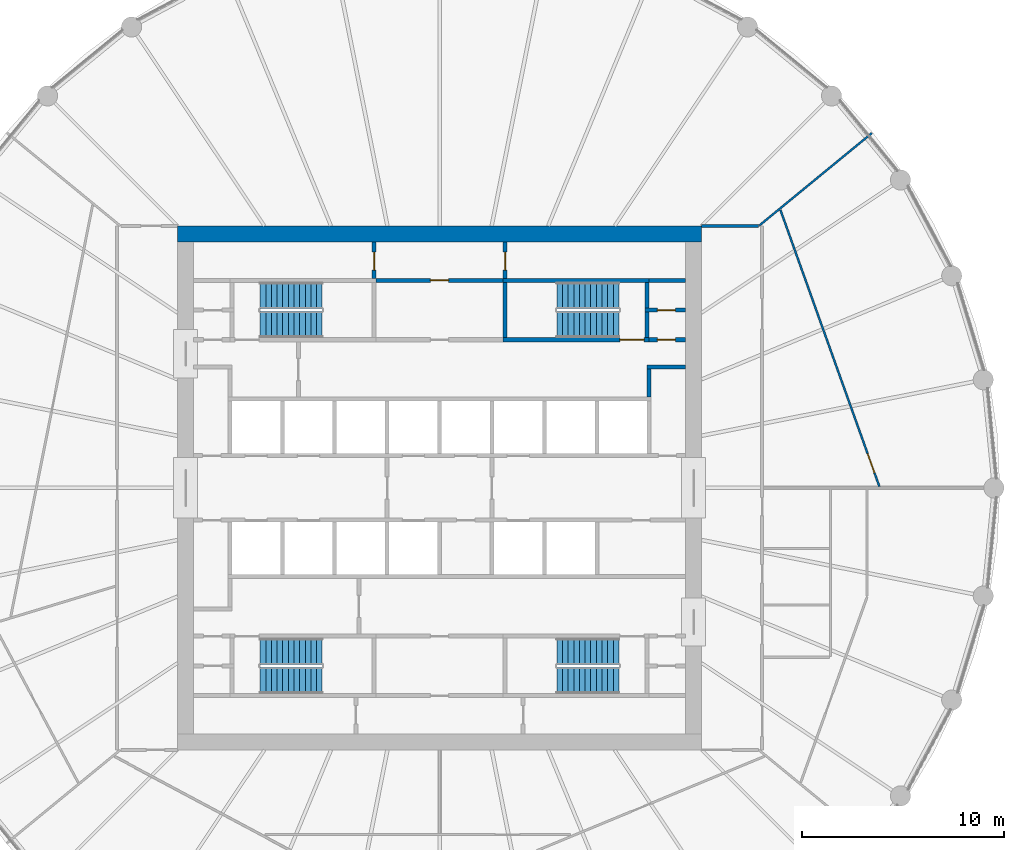
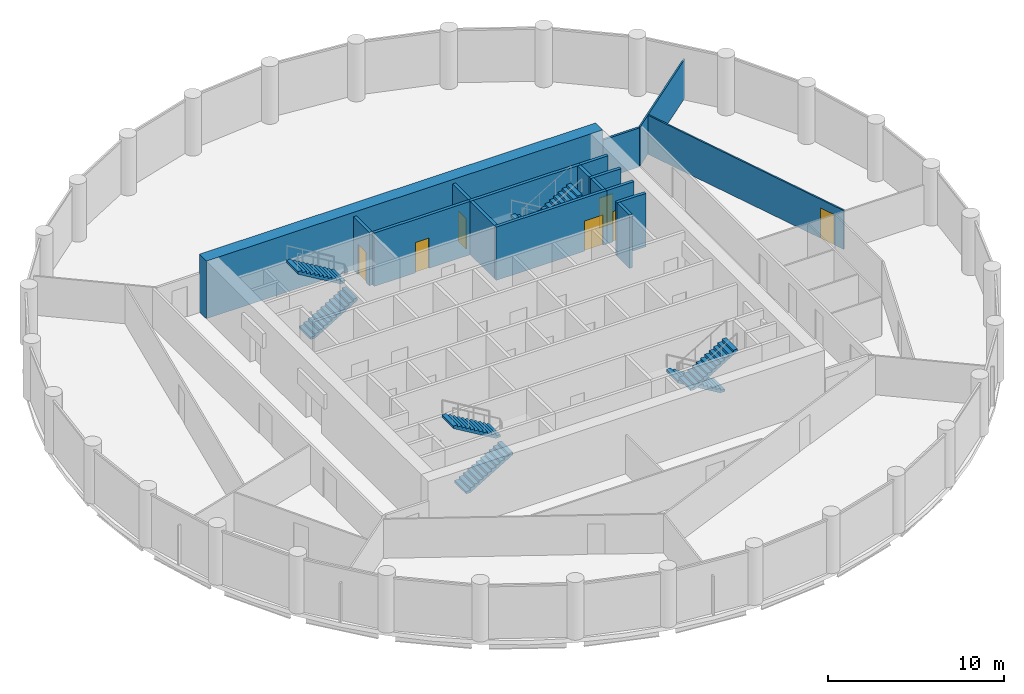
# One storey, part 7 of 8: 17 walls, 8 stair flights, 7 doors, 7 openings, 4 elements without a shape of their own.
"""IFC4 building model written with IfcOpenShell, lengths in metres."""

from ifc_helpers import new_model, si_unit, direction, frame, frame_2d, origin, place, context, subcontext, project, spatial, polyline, rectangle, outline, extrude, material, layer, layer_set, type_object, element, fill, aggregate, save


model = new_model("IFC4")

# Units and contexts
model_context = context("Model", 3, precision=1e-05, world=origin(), true_north=direction((0.0, 1.0)))
body_context = subcontext(model_context, "Body", "Model", "MODEL_VIEW")
ifc_project = project(units=[si_unit("LENGTHUNIT", "METRE"), si_unit("AREAUNIT", "SQUARE_METRE"), si_unit("VOLUMEUNIT", "CUBIC_METRE"), si_unit("PLANEANGLEUNIT", "RADIAN"), si_unit("MASSUNIT", "GRAM", prefix="KILO")], contexts=[model_context])

# Site, building, storey
site_placement = place(None, origin())
site = spatial("IfcSite", under=ifc_project, at=site_placement, CompositionType="ELEMENT")
building_placement = place(site_placement, origin())
building = spatial("IfcBuilding", under=site, at=building_placement, Name="Corvane Civic Tower", CompositionType="ELEMENT")
storey_placement = place(building_placement, frame((0.0, 0.0, 209.5)))
storey = spatial("IfcBuildingStorey", under=building, at=storey_placement, Name="L49", CompositionType="ELEMENT", Elevation=209.5)

# Wall
ifc_material_1 = material(Name="Concrete C50/60", Category="concrete")
ifc_layer_1 = layer(ifc_material_1, 0.800048828125)
ifc_layer_set_1 = layer_set([ifc_layer_1], Name="Concrete C50/60")
wall_type_1 = type_object("IfcWallType", Name="CORE WALL 800 C50/60", PredefinedType="SHEAR", material=ifc_layer_set_1)
wall_1_placement = place(storey_placement, frame((-13.0, 12.60009765625, 0.0), z_axis=(0.0, 0.0, 1.0), x_axis=(1.0, 0.0, 0.0)))
element("IfcWall", 1, at=wall_1_placement, inside=storey, type_object=wall_type_1, Name="W-L49-core-N", PredefinedType="SHEAR", context=body_context, shape_type="SweptSolid", body=[
    extrude(rectangle(XDim=26.0, YDim=0.800048828125, at=frame_2d((13.0, 0.0))), origin(), (0.0, 0.0, 1.0), 4.0),
])

# Wall, opening, door
ifc_material_2 = material(Name="Concrete C30/37", Category="concrete")
ifc_layer_2 = layer(ifc_material_2, 0.199951171875)
ifc_layer_set_2 = layer_set([ifc_layer_2], Name="Concrete C30/37")
wall_type_2 = type_object("IfcWallType", Name="CR-WALL-200", PredefinedType="PARTITIONING", material=ifc_layer_set_2)
wall_2_placement = place(storey_placement, frame((10.39990234375, 7.35009765625, 0.0), z_axis=(0.0, 0.0, 1.0), x_axis=(1.0, 0.0, 0.0)))
wall_2 = element("IfcWall", 2, at=wall_2_placement, inside=storey, type_object=wall_type_2, Name="L49 core partition wall", PredefinedType="PARTITIONING", context=body_context, shape_type="SweptSolid", body=[
    extrude(rectangle(XDim=1.800048828125, YDim=0.199951171875, at=frame_2d((0.89990234375, 0.0))), origin(), (0.0, 0.0, 1.0), 3.699951171875),
])
opening_1_placement = place(wall_2_placement, frame((0.39990234375, 0.0, 0.0)))
opening_1 = element("IfcOpeningElement", 3, at=opening_1_placement, cuts=wall_2, Name="Opening L49.C18", PredefinedType="OPENING", context=body_context, shape_type="SweptSolid", body=[
    extrude(rectangle(XDim=0.89990234375, YDim=2.10009765625, at=frame_2d((0.449951171875, 1.050048828125))), frame((0.0, 0.10986328125, 0.0), z_axis=(0.0, -1.0, 0.0), x_axis=(1.0, 0.0, 0.0)), (0.0, 0.0, 1.0), 0.219970703125),
])
ifc_material_3 = material(Name="Steel fire door leaf", Category="steel")
door_type_1 = type_object("IfcDoorType", Name="CR-DOOR-900", OperationType="SINGLE_SWING_LEFT", PredefinedType="DOOR", material=ifc_material_3)
door_1_placement = place(opening_1_placement, origin())
door_1 = element("IfcDoor", 4, at=door_1_placement, inside=storey, type_object=door_type_1, Name="L49 door", OperationType="SINGLE_SWING_LEFT", OverallHeight=2.10009765625, OverallWidth=0.89990234375, PredefinedType="DOOR", context=body_context, shape_type="SweptSolid", body=[
    extrude(rectangle(XDim=0.89990234375, YDim=2.10009765625, at=frame_2d((0.449951171875, 1.050048828125))), frame((0.0, 0.02490234375, 0.0), z_axis=(0.0, -1.0, 0.0), x_axis=(1.0, 0.0, 0.0)), (0.0, 0.0, 1.0), 0.050048828125),
])
fill(opening_1, door_1)

wall_3_placement = place(storey_placement, frame((10.199951171875, 8.824951171875, 0.0), z_axis=(0.0, 0.0, 1.0), x_axis=(1.0, 0.0, 0.0)))
wall_3 = element("IfcWall", 5, at=wall_3_placement, inside=storey, type_object=wall_type_2, Name="L49 partition wall", PredefinedType="PARTITIONING", context=body_context, shape_type="SweptSolid", body=[
    extrude(rectangle(XDim=2.0, YDim=0.199951171875, at=frame_2d((1.0, 0.0))), origin(), (0.0, 0.0, 1.0), 3.699951171875),
])
opening_2_placement = place(wall_3_placement, frame((0.60009765625, 0.0, 0.0)))
opening_2 = element("IfcOpeningElement", 6, at=opening_2_placement, cuts=wall_3, Name="Opening L49.C19", PredefinedType="OPENING", context=body_context, shape_type="SweptSolid", body=[
    extrude(rectangle(XDim=0.89990234375, YDim=2.10009765625, at=frame_2d((0.449951171875, 1.050048828125))), frame((0.0, 0.10986328125, 0.0), z_axis=(0.0, -1.0, 0.0), x_axis=(1.0, 0.0, 0.0)), (0.0, 0.0, 1.0), 0.219970703125),
])
door_2_placement = place(opening_2_placement, origin())
door_2 = element("IfcDoor", 7, at=door_2_placement, inside=storey, type_object=door_type_1, Name="L49 door", OperationType="SINGLE_SWING_LEFT", OverallHeight=2.10009765625, OverallWidth=0.89990234375, PredefinedType="DOOR", context=body_context, shape_type="SweptSolid", body=[
    extrude(rectangle(XDim=0.89990234375, YDim=2.10009765625, at=frame_2d((0.449951171875, 1.050048828125))), frame((0.0, 0.02490234375, 0.0), z_axis=(0.0, -1.0, 0.0), x_axis=(1.0, 0.0, 0.0)), (0.0, 0.0, 1.0), 0.050048828125),
])
fill(opening_2, door_2)

wall_4_placement = place(storey_placement, frame((-3.14990234375, 10.300048828125, 0.0), z_axis=(0.0, 0.0, 1.0), x_axis=(1.0, 0.0, 0.0)))
wall_4 = element("IfcWall", 8, at=wall_4_placement, inside=storey, type_object=wall_type_2, Name="L49 partition wall", PredefinedType="PARTITIONING", context=body_context, shape_type="SweptSolid", body=[
    extrude(rectangle(XDim=6.2998046875, YDim=0.199951171875, at=frame_2d((3.14990234375, 0.0))), origin(), (0.0, 0.0, 1.0), 3.699951171875),
])
opening_3_placement = place(wall_4_placement, frame((2.699951171875, 0.0, 0.0)))
opening_3 = element("IfcOpeningElement", 9, at=opening_3_placement, cuts=wall_4, Name="Opening L49.C09", PredefinedType="OPENING", context=body_context, shape_type="SweptSolid", body=[
    extrude(rectangle(XDim=0.89990234375, YDim=2.10009765625, at=frame_2d((0.449951171875, 1.050048828125))), frame((0.0, 0.10986328125, 0.0), z_axis=(0.0, -1.0, 0.0), x_axis=(1.0, 0.0, 0.0)), (0.0, 0.0, 1.0), 0.219970703125),
])
door_3_placement = place(opening_3_placement, origin())
door_3 = element("IfcDoor", 10, at=door_3_placement, inside=storey, type_object=door_type_1, Name="L49 door", OperationType="SINGLE_SWING_LEFT", OverallHeight=2.10009765625, OverallWidth=0.89990234375, PredefinedType="DOOR", context=body_context, shape_type="SweptSolid", body=[
    extrude(rectangle(XDim=0.89990234375, YDim=2.10009765625, at=frame_2d((0.449951171875, 1.050048828125))), frame((0.0, 0.02490234375, 0.0), z_axis=(0.0, -1.0, 0.0), x_axis=(1.0, 0.0, 0.0)), (0.0, 0.0, 1.0), 0.050048828125),
])
fill(opening_3, door_3)

wall_5_placement = place(storey_placement, frame((-3.25, 10.39990234375, 0.0), z_axis=(0.0, 0.0, 1.0), x_axis=(0.0, 1.0, 0.0)))
wall_5 = element("IfcWall", 11, at=wall_5_placement, inside=storey, type_object=wall_type_2, Name="L49 partition wall", PredefinedType="PARTITIONING", context=body_context, shape_type="SweptSolid", body=[
    extrude(rectangle(XDim=1.800048828125, YDim=0.199951171875, at=frame_2d((0.89990234375, 0.0))), origin(), (0.0, 0.0, 1.0), 3.699951171875),
])
opening_4_placement = place(wall_5_placement, frame((0.39990234375, 0.0, 0.0)))
opening_4 = element("IfcOpeningElement", 12, at=opening_4_placement, cuts=wall_5, Name="Opening L49.C08", PredefinedType="OPENING", context=body_context, shape_type="SweptSolid", body=[
    extrude(rectangle(XDim=0.89990234375, YDim=2.10009765625, at=frame_2d((0.449951171875, 1.050048828125))), frame((0.0, 0.10986328125, 0.0), z_axis=(0.0, -1.0, 0.0), x_axis=(1.0, 0.0, 0.0)), (0.0, 0.0, 1.0), 0.219970703125),
])
door_4_placement = place(opening_4_placement, origin())
door_4 = element("IfcDoor", 13, at=door_4_placement, inside=storey, type_object=door_type_1, Name="L49 door", OperationType="SINGLE_SWING_LEFT", OverallHeight=2.10009765625, OverallWidth=0.89990234375, PredefinedType="DOOR", context=body_context, shape_type="SweptSolid", body=[
    extrude(rectangle(XDim=0.89990234375, YDim=2.10009765625, at=frame_2d((0.449951171875, 1.050048828125))), frame((0.0, 0.02490234375, 0.0), z_axis=(0.0, -1.0, 0.0), x_axis=(1.0, 0.0, 0.0)), (0.0, 0.0, 1.0), 0.050048828125),
])
fill(opening_4, door_4)

wall_6_placement = place(storey_placement, frame((3.25, 10.39990234375, 0.0), z_axis=(0.0, 0.0, 1.0), x_axis=(0.0, 1.0, 0.0)))
wall_6 = element("IfcWall", 14, at=wall_6_placement, inside=storey, type_object=wall_type_2, Name="L49 partition wall", PredefinedType="PARTITIONING", context=body_context, shape_type="SweptSolid", body=[
    extrude(rectangle(XDim=1.800048828125, YDim=0.199951171875, at=frame_2d((0.89990234375, 0.0))), origin(), (0.0, 0.0, 1.0), 3.699951171875),
])
opening_5_placement = place(wall_6_placement, frame((0.39990234375, 0.0, 0.0)))
opening_5 = element("IfcOpeningElement", 15, at=opening_5_placement, cuts=wall_6, Name="Opening L49.C10", PredefinedType="OPENING", context=body_context, shape_type="SweptSolid", body=[
    extrude(rectangle(XDim=0.89990234375, YDim=2.10009765625, at=frame_2d((0.449951171875, 1.050048828125))), frame((0.0, 0.10986328125, 0.0), z_axis=(0.0, -1.0, 0.0), x_axis=(1.0, 0.0, 0.0)), (0.0, 0.0, 1.0), 0.219970703125),
])
door_5_placement = place(opening_5_placement, origin())
door_5 = element("IfcDoor", 16, at=door_5_placement, inside=storey, type_object=door_type_1, Name="L49 door", OperationType="SINGLE_SWING_LEFT", OverallHeight=2.10009765625, OverallWidth=0.89990234375, PredefinedType="DOOR", context=body_context, shape_type="SweptSolid", body=[
    extrude(rectangle(XDim=0.89990234375, YDim=2.10009765625, at=frame_2d((0.449951171875, 1.050048828125))), frame((0.0, 0.02490234375, 0.0), z_axis=(0.0, -1.0, 0.0), x_axis=(1.0, 0.0, 0.0)), (0.0, 0.0, 1.0), 0.050048828125),
])
fill(opening_5, door_5)

# Walls
wall_7_placement = place(storey_placement, origin())
element("IfcWall", 17, at=wall_7_placement, inside=storey, type_object=wall_type_2, Name="L49 core partition wall", PredefinedType="PARTITIONING", context=body_context, shape_type="SweptSolid", body=[
    extrude(outline(polyline([(12.199951171875, 5.89990234375), (10.300048828125, 5.89990234375), (10.300048828125, 6.10009765625), (12.199951171875, 6.10009765625), (12.199951171875, 5.89990234375)])), origin(), (0.0, 0.0, 1.0), 3.699951171875),
])
wall_8_placement = place(storey_placement, origin())
element("IfcWall", 18, at=wall_8_placement, inside=storey, type_object=wall_type_2, Name="L49 core partition wall", PredefinedType="PARTITIONING", context=body_context, shape_type="SweptSolid", body=[
    extrude(outline(polyline([(10.5, 4.5), (10.300048828125, 4.5), (10.300048828125, 5.89990234375), (10.5, 5.89990234375), (10.5, 4.5)])), origin(), (0.0, 0.0, 1.0), 3.699951171875),
])
wall_9_placement = place(storey_placement, origin())
element("IfcWall", 19, at=wall_9_placement, inside=storey, type_object=wall_type_2, Name="L49 core partition wall", PredefinedType="PARTITIONING", context=body_context, shape_type="SweptSolid", body=[
    extrude(outline(polyline([(10.39990234375, 10.199951171875), (10.39990234375, 10.39990234375), (12.199951171875, 10.39990234375), (12.199951171875, 10.199951171875), (10.39990234375, 10.199951171875)])), origin(), (0.0, 0.0, 1.0), 3.699951171875),
])

# Wall, opening, door
ifc_material_4 = material(Name="Plasterboard")
ifc_layer_3 = layer(ifc_material_4, 0.10009765625)
ifc_layer_set_3 = layer_set([ifc_layer_3], Name="Plasterboard")
wall_type_3 = type_object("IfcWallType", Name="Partition 100 plasterboard on studs", PredefinedType="PARTITIONING", material=ifc_layer_set_3)
wall_10_placement = place(storey_placement, frame((16.90869140625, 13.790283203125, 0.0), z_axis=(0.0, 0.0, 1.0), x_axis=(0.336895534634, -0.941542032383, 0.0)))
wall_10 = element("IfcWall", 20, at=wall_10_placement, inside=storey, type_object=wall_type_3, Name="Partition L49.022", PredefinedType="PARTITIONING", context=body_context, shape_type="SweptSolid", body=[
    extrude(rectangle(XDim=14.575439453125, YDim=0.10009765625, at=frame_2d((7.28759765625, 0.0))), origin(), (0.0, 0.0, 1.0), 2.699951171875),
])
opening_6_placement = place(wall_10_placement, frame((12.847900390625, 0.0, 0.0)))
opening_6 = element("IfcOpeningElement", 21, at=opening_6_placement, cuts=wall_10, Name="Opening L49.007", PredefinedType="OPENING", context=body_context, shape_type="SweptSolid", body=[
    extrude(rectangle(XDim=1.0, YDim=2.10009765625, at=frame_2d((0.5, 1.050048828125))), frame((0.0, 0.06005859375, 0.0), z_axis=(0.0, -1.0, 0.0), x_axis=(1.0, 0.0, 0.0)), (0.0, 0.0, 1.0), 0.1201171875),
])
ifc_material_5 = material(Name="Timber", Category="wood")
door_type_2 = type_object("IfcDoorType", Name="Single door 1000", OperationType="NOTDEFINED", PredefinedType="DOOR", material=ifc_material_5)
door_6_placement = place(opening_6_placement, origin())
door_6 = element("IfcDoor", 22, at=door_6_placement, inside=storey, type_object=door_type_2, Name="Door L49.007", OperationType="SINGLE_SWING_RIGHT", OverallHeight=2.10009765625, OverallWidth=1.0, PredefinedType="DOOR", context=body_context, shape_type="SweptSolid", body=[
    extrude(rectangle(XDim=1.0, YDim=2.10009765625, at=frame_2d((0.5, 1.050048828125))), frame((0.0, 0.02490234375, 0.0), z_axis=(0.0, -1.0, 0.0), x_axis=(1.0, 0.0, 0.0)), (0.0, 0.0, 1.0), 0.050048828125),
])
fill(opening_6, door_6)

# Wall
wall_11_placement = place(storey_placement, frame((15.8544921875, 13.01123046875, 0.0), z_axis=(0.0, 0.0, 1.0), x_axis=(0.772997895748, 0.634408585352, 0.0)))
element("IfcWall", 23, at=wall_11_placement, inside=storey, type_object=wall_type_3, Name="Partition L49.026", PredefinedType="PARTITIONING", context=body_context, shape_type="SweptSolid", body=[
    extrude(rectangle(XDim=7.240234375, YDim=0.10009765625, at=frame_2d((3.6201171875, 0.0))), origin(), (0.0, 0.0, 1.0), 2.699951171875),
])

# Wall, opening, door
ifc_material_6 = material(Name="Concrete C50/60", Category="concrete")
ifc_layer_4 = layer(ifc_material_6, 0.199951171875)
ifc_layer_set_4 = layer_set([ifc_layer_4], Name="Concrete C50/60")
wall_type_4 = type_object("IfcWallType", Name="ST-WALL-200", PredefinedType="SHEAR", material=ifc_layer_set_4)
wall_12_placement = place(storey_placement, frame((3.14990234375, 7.35009765625, 0.0), z_axis=(0.0, 0.0, 1.0), x_axis=(1.0, 0.0, 0.0)))
wall_12 = element("IfcWall", 24, at=wall_12_placement, inside=storey, type_object=wall_type_4, Name="L49 stair enclosure wall", PredefinedType="SHEAR", context=body_context, shape_type="SweptSolid", body=[
    extrude(rectangle(XDim=7.25, YDim=0.199951171875, at=frame_2d((3.625, 0.0))), origin(), (0.0, 0.0, 1.0), 3.699951171875),
])
opening_7_placement = place(wall_12_placement, frame((5.800048828125, 0.0, 0.0)))
opening_7 = element("IfcOpeningElement", 25, at=opening_7_placement, cuts=wall_12, Name="Opening L49.C22", PredefinedType="OPENING", context=body_context, shape_type="SweptSolid", body=[
    extrude(rectangle(XDim=1.199951171875, YDim=2.10009765625, at=frame_2d((0.60009765625, 1.050048828125))), frame((0.0, 0.10986328125, 0.0), z_axis=(0.0, -1.0, 0.0), x_axis=(1.0, 0.0, 0.0)), (0.0, 0.0, 1.0), 0.219970703125),
])
ifc_material_7 = material(Name="Steel fire door leaf", Category="steel")
door_type_3 = type_object("IfcDoorType", Name="ST-DOOR-1200", OperationType="SINGLE_SWING_RIGHT", PredefinedType="DOOR", material=ifc_material_7)
door_7_placement = place(opening_7_placement, origin())
door_7 = element("IfcDoor", 26, at=door_7_placement, inside=storey, type_object=door_type_3, Name="L49 stair door", OperationType="SINGLE_SWING_RIGHT", OverallHeight=2.10009765625, OverallWidth=1.199951171875, PredefinedType="DOOR", context=body_context, shape_type="SweptSolid", body=[
    extrude(rectangle(XDim=1.199951171875, YDim=2.10009765625, at=frame_2d((0.60009765625, 1.050048828125))), frame((0.0, 0.02490234375, 0.0), z_axis=(0.0, -1.0, 0.0), x_axis=(1.0, 0.0, 0.0)), (0.0, 0.0, 1.0), 0.050048828125),
])
fill(opening_7, door_7)

# Walls
wall_13_placement = place(storey_placement, origin())
element("IfcWall", 27, at=wall_13_placement, inside=storey, type_object=wall_type_4, Name="L49 stair enclosure wall", PredefinedType="SHEAR", context=body_context, shape_type="SweptSolid", body=[
    extrude(outline(polyline([(10.39990234375, 10.199951171875), (3.14990234375, 10.199951171875), (3.14990234375, 10.39990234375), (10.39990234375, 10.39990234375), (10.39990234375, 10.199951171875)])), origin(), (0.0, 0.0, 1.0), 3.699951171875),
])
wall_14_placement = place(storey_placement, origin())
element("IfcWall", 28, at=wall_14_placement, inside=storey, type_object=wall_type_4, Name="L49 stair enclosure wall", PredefinedType="SHEAR", context=body_context, shape_type="SweptSolid", body=[
    extrude(outline(polyline([(3.35009765625, 7.449951171875), (3.14990234375, 7.449951171875), (3.14990234375, 10.199951171875), (3.35009765625, 10.199951171875), (3.35009765625, 7.449951171875)])), origin(), (0.0, 0.0, 1.0), 3.699951171875),
])
wall_15_placement = place(storey_placement, origin())
element("IfcWall", 29, at=wall_15_placement, inside=storey, type_object=wall_type_4, Name="L49 stair enclosure wall", PredefinedType="SHEAR", context=body_context, shape_type="SweptSolid", body=[
    extrude(outline(polyline([(10.39990234375, 8.72509765625), (10.39990234375, 7.449951171875), (10.199951171875, 7.449951171875), (10.199951171875, 8.72509765625), (10.39990234375, 8.72509765625)])), origin(), (0.0, 0.0, 1.0), 3.699951171875),
])
wall_16_placement = place(storey_placement, origin())
element("IfcWall", 30, at=wall_16_placement, inside=storey, type_object=wall_type_4, Name="L49 stair enclosure wall", PredefinedType="SHEAR", context=body_context, shape_type="SweptSolid", body=[
    extrude(outline(polyline([(10.39990234375, 8.925048828125), (10.199951171875, 8.925048828125), (10.199951171875, 10.199951171875), (10.39990234375, 10.199951171875), (10.39990234375, 8.925048828125)])), origin(), (0.0, 0.0, 1.0), 3.699951171875),
])
ifc_material_8 = material(Name="Plasterboard")
ifc_layer_5 = layer(ifc_material_8, 0.14990234375)
ifc_layer_set_5 = layer_set([ifc_layer_5], Name="Plasterboard")
wall_type_5 = type_object("IfcWallType", Name="Tenancy wall 150 EI 60", PredefinedType="PARTITIONING", material=ifc_layer_set_5)
wall_17_placement = place(storey_placement, frame((12.989990234375, 13.0, 0.0), z_axis=(0.0, 0.0, 1.0), x_axis=(1.0, 0.0, 0.0)))
element("IfcWall", 31, at=wall_17_placement, inside=storey, type_object=wall_type_5, Name="Partition L49.024", PredefinedType="PARTITIONING", context=body_context, shape_type="SweptSolid", body=[
    extrude(rectangle(XDim=2.82373046875, YDim=0.14990234375, at=frame_2d((1.411865234375, 0.0))), origin(), (0.0, 0.0, 1.0), 2.699951171875),
])

# Stair, stair flights
ifc_material_9 = material(Name="Concrete C40/50", Category="concrete")
stair_type = type_object("IfcStairType", Name="ST-STAIR-HALFTURN", PredefinedType="HALF_TURN_STAIR", material=ifc_material_9)
stair_1_placement = place(storey_placement, origin())
stair_1 = element("IfcStair", 32, at=stair_1_placement, inside=storey, type_object=stair_type, Name="L49 Exit stair ST1", PredefinedType="HALF_TURN_STAIR")
ifc_material_10 = material(Name="Concrete C40/50", Category="concrete")
stair_flight_type = type_object("IfcStairFlightType", Name="ST-FLIGHT-RC", PredefinedType="STRAIGHT", material=ifc_material_10)
stair_flight_1_placement = place(storey_placement, frame((8.89990234375, 9.550048828125, 0.0), z_axis=(0.0, 0.0, 1.0), x_axis=(-1.0, 0.0, 0.0)))
stair_flight_1 = element("IfcStairFlight", 33, at=stair_flight_1_placement, type_object=stair_flight_type, Name="ST1 flight 1", NumberOfRisers=12, NumberOfTreads=11, PredefinedType="STRAIGHT", RiserHeight=0.166666667, TreadLength=0.28, context=body_context, shape_type="SweptSolid", body=[
    extrude(outline(polyline([(0.0, 0.0), (0.0, 0.166748046875), (0.280029296875, 0.166748046875), (0.280029296875, 0.333251953125), (0.56005859375, 0.333251953125), (0.56005859375, 0.5), (0.840087890625, 0.5), (0.840087890625, 0.666748046875), (1.1201171875, 0.666748046875), (1.1201171875, 0.833251953125), (1.39990234375, 0.833251953125), (1.39990234375, 1.0), (1.679931640625, 1.0), (1.679931640625, 1.166748046875), (1.9599609375, 1.166748046875), (1.9599609375, 1.333251953125), (2.239990234375, 1.333251953125), (2.239990234375, 1.5), (2.52001953125, 1.5), (2.52001953125, 1.666748046875), (2.800048828125, 1.666748046875), (2.800048828125, 1.833251953125), (3.080078125, 1.833251953125), (3.080078125, 2.0), (3.080078125, 1.658935546875), (0.29296875, 0.0), (0.0, 0.0)])), frame((0.0, 0.64990234375, 0.0), z_axis=(0.0, -1.0, 0.0), x_axis=(1.0, 0.0, 0.0)), (0.0, 0.0, 1.0), 1.300048828125),
])
stair_flight_2_placement = place(storey_placement, frame((5.820068359375, 8.10009765625, 2.0), z_axis=(0.0, 0.0, 1.0), x_axis=(1.0, 0.0, 0.0)))
stair_flight_2 = element("IfcStairFlight", 34, at=stair_flight_2_placement, type_object=stair_flight_type, Name="ST1 flight 2", NumberOfRisers=12, NumberOfTreads=11, PredefinedType="STRAIGHT", RiserHeight=0.166666667, TreadLength=0.28, context=body_context, shape_type="SweptSolid", body=[
    extrude(outline(polyline([(0.0, 0.0), (0.0, 0.166748046875), (0.280029296875, 0.166748046875), (0.280029296875, 0.333251953125), (0.56005859375, 0.333251953125), (0.56005859375, 0.5), (0.840087890625, 0.5), (0.840087890625, 0.666748046875), (1.1201171875, 0.666748046875), (1.1201171875, 0.833251953125), (1.39990234375, 0.833251953125), (1.39990234375, 1.0), (1.679931640625, 1.0), (1.679931640625, 1.166748046875), (1.9599609375, 1.166748046875), (1.9599609375, 1.333251953125), (2.239990234375, 1.333251953125), (2.239990234375, 1.5), (2.52001953125, 1.5), (2.52001953125, 1.666748046875), (2.800048828125, 1.666748046875), (2.800048828125, 1.833251953125), (3.080078125, 1.833251953125), (3.080078125, 2.0), (3.080078125, 1.658935546875), (0.29296875, 0.0), (0.0, 0.0)])), frame((0.0, 0.64990234375, 0.0), z_axis=(0.0, -1.0, 0.0), x_axis=(1.0, 0.0, 0.0)), (0.0, 0.0, 1.0), 1.300048828125),
])
aggregate(stair_1, [stair_flight_1, stair_flight_2])

stair_2_placement = place(storey_placement, origin())
stair_2 = element("IfcStair", 35, at=stair_2_placement, inside=storey, type_object=stair_type, Name="L49 Exit stair ST2", PredefinedType="HALF_TURN_STAIR")
stair_flight_3_placement = place(storey_placement, frame((8.89990234375, -8.10009765625, 0.0), z_axis=(0.0, 0.0, 1.0), x_axis=(-1.0, 0.0, 0.0)))
stair_flight_3 = element("IfcStairFlight", 36, at=stair_flight_3_placement, type_object=stair_flight_type, Name="ST2 flight 1", NumberOfRisers=12, NumberOfTreads=11, PredefinedType="STRAIGHT", RiserHeight=0.166666667, TreadLength=0.28, context=body_context, shape_type="SweptSolid", body=[
    extrude(outline(polyline([(0.0, 0.0), (0.0, 0.166748046875), (0.280029296875, 0.166748046875), (0.280029296875, 0.333251953125), (0.56005859375, 0.333251953125), (0.56005859375, 0.5), (0.840087890625, 0.5), (0.840087890625, 0.666748046875), (1.1201171875, 0.666748046875), (1.1201171875, 0.833251953125), (1.39990234375, 0.833251953125), (1.39990234375, 1.0), (1.679931640625, 1.0), (1.679931640625, 1.166748046875), (1.9599609375, 1.166748046875), (1.9599609375, 1.333251953125), (2.239990234375, 1.333251953125), (2.239990234375, 1.5), (2.52001953125, 1.5), (2.52001953125, 1.666748046875), (2.800048828125, 1.666748046875), (2.800048828125, 1.833251953125), (3.080078125, 1.833251953125), (3.080078125, 2.0), (3.080078125, 1.658935546875), (0.29296875, 0.0), (0.0, 0.0)])), frame((0.0, 0.64990234375, 0.0), z_axis=(0.0, -1.0, 0.0), x_axis=(1.0, 0.0, 0.0)), (0.0, 0.0, 1.0), 1.300048828125),
])
stair_flight_4_placement = place(storey_placement, frame((5.820068359375, -9.550048828125, 2.0), z_axis=(0.0, 0.0, 1.0), x_axis=(1.0, 0.0, 0.0)))
stair_flight_4 = element("IfcStairFlight", 37, at=stair_flight_4_placement, type_object=stair_flight_type, Name="ST2 flight 2", NumberOfRisers=12, NumberOfTreads=11, PredefinedType="STRAIGHT", RiserHeight=0.166666667, TreadLength=0.28, context=body_context, shape_type="SweptSolid", body=[
    extrude(outline(polyline([(0.0, 0.0), (0.0, 0.166748046875), (0.280029296875, 0.166748046875), (0.280029296875, 0.333251953125), (0.56005859375, 0.333251953125), (0.56005859375, 0.5), (0.840087890625, 0.5), (0.840087890625, 0.666748046875), (1.1201171875, 0.666748046875), (1.1201171875, 0.833251953125), (1.39990234375, 0.833251953125), (1.39990234375, 1.0), (1.679931640625, 1.0), (1.679931640625, 1.166748046875), (1.9599609375, 1.166748046875), (1.9599609375, 1.333251953125), (2.239990234375, 1.333251953125), (2.239990234375, 1.5), (2.52001953125, 1.5), (2.52001953125, 1.666748046875), (2.800048828125, 1.666748046875), (2.800048828125, 1.833251953125), (3.080078125, 1.833251953125), (3.080078125, 2.0), (3.080078125, 1.658935546875), (0.29296875, 0.0), (0.0, 0.0)])), frame((0.0, 0.64990234375, 0.0), z_axis=(0.0, -1.0, 0.0), x_axis=(1.0, 0.0, 0.0)), (0.0, 0.0, 1.0), 1.300048828125),
])
aggregate(stair_2, [stair_flight_3, stair_flight_4])

stair_3_placement = place(storey_placement, origin())
stair_3 = element("IfcStair", 38, at=stair_3_placement, inside=storey, type_object=stair_type, Name="L49 Exit stair ST3", PredefinedType="HALF_TURN_STAIR")
stair_flight_5_placement = place(storey_placement, frame((-8.89990234375, -9.550048828125, 0.0), z_axis=(0.0, 0.0, 1.0), x_axis=(1.0, 0.0, 0.0)))
stair_flight_5 = element("IfcStairFlight", 39, at=stair_flight_5_placement, type_object=stair_flight_type, Name="ST3 flight 1", NumberOfRisers=12, NumberOfTreads=11, PredefinedType="STRAIGHT", RiserHeight=0.166666667, TreadLength=0.28, context=body_context, shape_type="SweptSolid", body=[
    extrude(outline(polyline([(0.0, 0.0), (0.0, 0.166748046875), (0.280029296875, 0.166748046875), (0.280029296875, 0.333251953125), (0.56005859375, 0.333251953125), (0.56005859375, 0.5), (0.840087890625, 0.5), (0.840087890625, 0.666748046875), (1.1201171875, 0.666748046875), (1.1201171875, 0.833251953125), (1.39990234375, 0.833251953125), (1.39990234375, 1.0), (1.679931640625, 1.0), (1.679931640625, 1.166748046875), (1.9599609375, 1.166748046875), (1.9599609375, 1.333251953125), (2.239990234375, 1.333251953125), (2.239990234375, 1.5), (2.52001953125, 1.5), (2.52001953125, 1.666748046875), (2.800048828125, 1.666748046875), (2.800048828125, 1.833251953125), (3.080078125, 1.833251953125), (3.080078125, 2.0), (3.080078125, 1.658935546875), (0.29296875, 0.0), (0.0, 0.0)])), frame((0.0, 0.64990234375, 0.0), z_axis=(0.0, -1.0, 0.0), x_axis=(1.0, 0.0, 0.0)), (0.0, 0.0, 1.0), 1.300048828125),
])
stair_flight_6_placement = place(storey_placement, frame((-5.820068359375, -8.10009765625, 2.0), z_axis=(0.0, 0.0, 1.0), x_axis=(-1.0, 0.0, 0.0)))
stair_flight_6 = element("IfcStairFlight", 40, at=stair_flight_6_placement, type_object=stair_flight_type, Name="ST3 flight 2", NumberOfRisers=12, NumberOfTreads=11, PredefinedType="STRAIGHT", RiserHeight=0.166666667, TreadLength=0.28, context=body_context, shape_type="SweptSolid", body=[
    extrude(outline(polyline([(0.0, 0.0), (0.0, 0.166748046875), (0.280029296875, 0.166748046875), (0.280029296875, 0.333251953125), (0.56005859375, 0.333251953125), (0.56005859375, 0.5), (0.840087890625, 0.5), (0.840087890625, 0.666748046875), (1.1201171875, 0.666748046875), (1.1201171875, 0.833251953125), (1.39990234375, 0.833251953125), (1.39990234375, 1.0), (1.679931640625, 1.0), (1.679931640625, 1.166748046875), (1.9599609375, 1.166748046875), (1.9599609375, 1.333251953125), (2.239990234375, 1.333251953125), (2.239990234375, 1.5), (2.52001953125, 1.5), (2.52001953125, 1.666748046875), (2.800048828125, 1.666748046875), (2.800048828125, 1.833251953125), (3.080078125, 1.833251953125), (3.080078125, 2.0), (3.080078125, 1.658935546875), (0.29296875, 0.0), (0.0, 0.0)])), frame((0.0, 0.64990234375, 0.0), z_axis=(0.0, -1.0, 0.0), x_axis=(1.0, 0.0, 0.0)), (0.0, 0.0, 1.0), 1.300048828125),
])
aggregate(stair_3, [stair_flight_5, stair_flight_6])

stair_4_placement = place(storey_placement, origin())
stair_4 = element("IfcStair", 41, at=stair_4_placement, inside=storey, type_object=stair_type, Name="L49 Exit stair ST4", PredefinedType="HALF_TURN_STAIR")
stair_flight_7_placement = place(storey_placement, frame((-8.89990234375, 8.10009765625, 0.0), z_axis=(0.0, 0.0, 1.0), x_axis=(1.0, 0.0, 0.0)))
stair_flight_7 = element("IfcStairFlight", 42, at=stair_flight_7_placement, type_object=stair_flight_type, Name="ST4 flight 1", NumberOfRisers=12, NumberOfTreads=11, PredefinedType="STRAIGHT", RiserHeight=0.166666667, TreadLength=0.28, context=body_context, shape_type="SweptSolid", body=[
    extrude(outline(polyline([(0.0, 0.0), (0.0, 0.166748046875), (0.280029296875, 0.166748046875), (0.280029296875, 0.333251953125), (0.56005859375, 0.333251953125), (0.56005859375, 0.5), (0.840087890625, 0.5), (0.840087890625, 0.666748046875), (1.1201171875, 0.666748046875), (1.1201171875, 0.833251953125), (1.39990234375, 0.833251953125), (1.39990234375, 1.0), (1.679931640625, 1.0), (1.679931640625, 1.166748046875), (1.9599609375, 1.166748046875), (1.9599609375, 1.333251953125), (2.239990234375, 1.333251953125), (2.239990234375, 1.5), (2.52001953125, 1.5), (2.52001953125, 1.666748046875), (2.800048828125, 1.666748046875), (2.800048828125, 1.833251953125), (3.080078125, 1.833251953125), (3.080078125, 2.0), (3.080078125, 1.658935546875), (0.29296875, 0.0), (0.0, 0.0)])), frame((0.0, 0.64990234375, 0.0), z_axis=(0.0, -1.0, 0.0), x_axis=(1.0, 0.0, 0.0)), (0.0, 0.0, 1.0), 1.300048828125),
])
stair_flight_8_placement = place(storey_placement, frame((-5.820068359375, 9.550048828125, 2.0), z_axis=(0.0, 0.0, 1.0), x_axis=(-1.0, 0.0, 0.0)))
stair_flight_8 = element("IfcStairFlight", 43, at=stair_flight_8_placement, type_object=stair_flight_type, Name="ST4 flight 2", NumberOfRisers=12, NumberOfTreads=11, PredefinedType="STRAIGHT", RiserHeight=0.166666667, TreadLength=0.28, context=body_context, shape_type="SweptSolid", body=[
    extrude(outline(polyline([(0.0, 0.0), (0.0, 0.166748046875), (0.280029296875, 0.166748046875), (0.280029296875, 0.333251953125), (0.56005859375, 0.333251953125), (0.56005859375, 0.5), (0.840087890625, 0.5), (0.840087890625, 0.666748046875), (1.1201171875, 0.666748046875), (1.1201171875, 0.833251953125), (1.39990234375, 0.833251953125), (1.39990234375, 1.0), (1.679931640625, 1.0), (1.679931640625, 1.166748046875), (1.9599609375, 1.166748046875), (1.9599609375, 1.333251953125), (2.239990234375, 1.333251953125), (2.239990234375, 1.5), (2.52001953125, 1.5), (2.52001953125, 1.666748046875), (2.800048828125, 1.666748046875), (2.800048828125, 1.833251953125), (3.080078125, 1.833251953125), (3.080078125, 2.0), (3.080078125, 1.658935546875), (0.29296875, 0.0), (0.0, 0.0)])), frame((0.0, 0.64990234375, 0.0), z_axis=(0.0, -1.0, 0.0), x_axis=(1.0, 0.0, 0.0)), (0.0, 0.0, 1.0), 1.300048828125),
])
aggregate(stair_4, [stair_flight_7, stair_flight_8])

save(model, "model.ifc")
